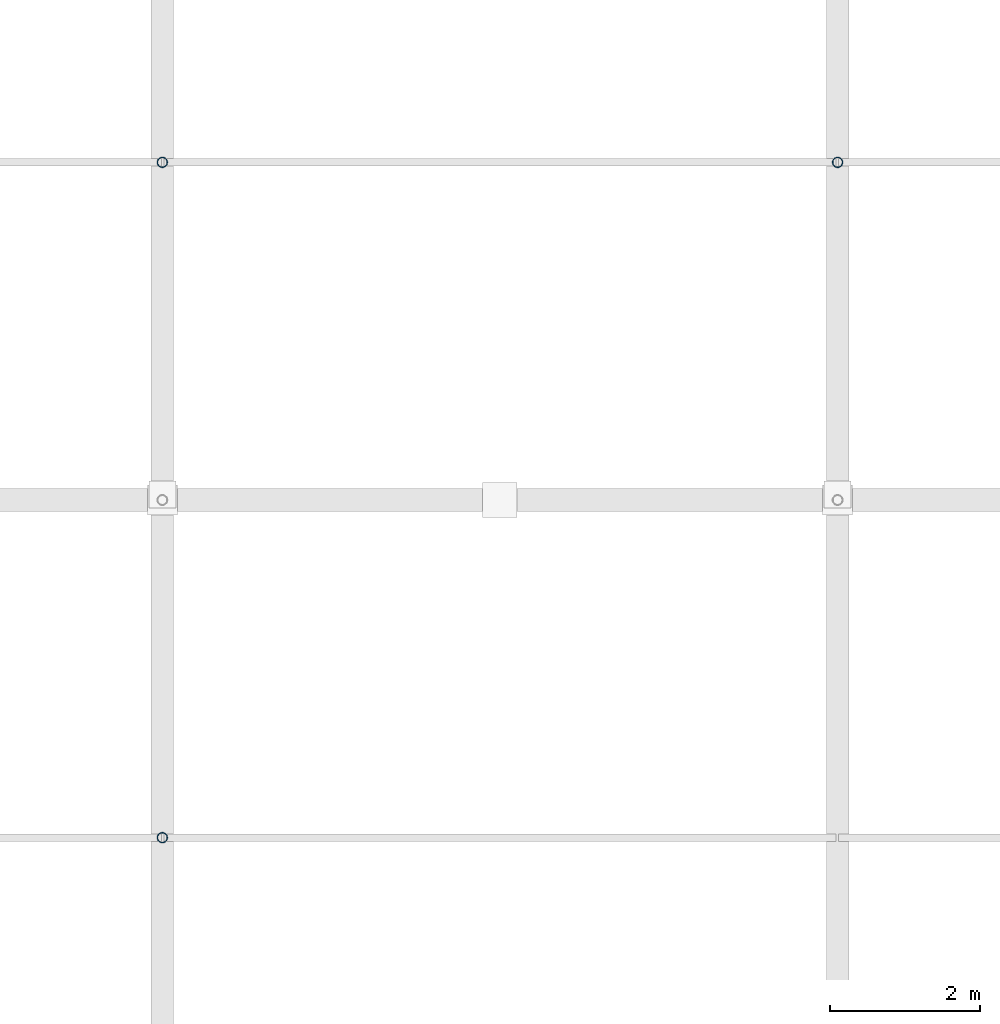
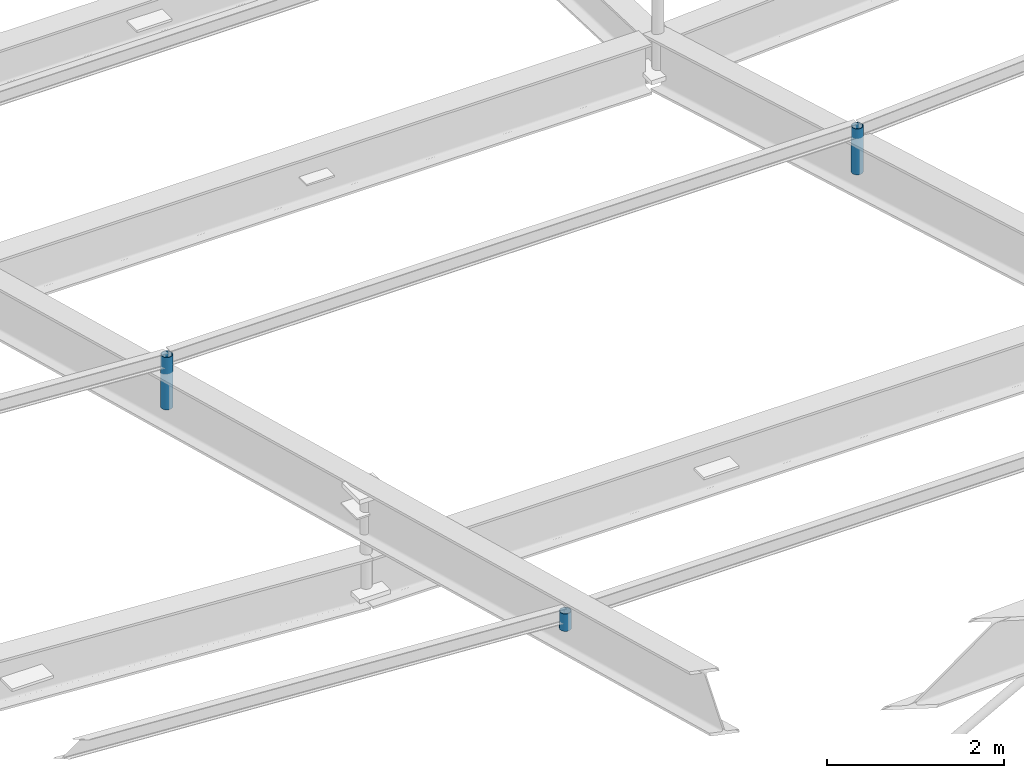
# One storey, part 72 of 80: 3 members.
"""IFC4 building model written with IfcOpenShell, lengths in metres."""

from ifc_helpers import new_model, si_unit, direction, frame, origin, origin_2d, place, context, subcontext, project, spatial, hollow_circle, extrude, material, material_profile, profile_set, type_object, element, save


model = new_model("IFC4")

# Units and contexts
model_context = context("Model", 3, precision=1e-05, world=origin(), true_north=direction((0.0, 1.0)))
body_context = subcontext(model_context, "Body", "Model", "MODEL_VIEW")
ifc_project = project(units=[si_unit("LENGTHUNIT", "METRE"), si_unit("AREAUNIT", "SQUARE_METRE"), si_unit("VOLUMEUNIT", "CUBIC_METRE"), si_unit("PLANEANGLEUNIT", "RADIAN"), si_unit("MASSUNIT", "GRAM", prefix="KILO")], contexts=[model_context])

# Site, building, storey
site_placement = place(None, origin())
site = spatial("IfcSite", under=ifc_project, at=site_placement, CompositionType="ELEMENT")
building_placement = place(site_placement, origin())
building = spatial("IfcBuilding", under=site, at=building_placement, Name="Barlavento Convention Centre", CompositionType="ELEMENT")
storey_placement = place(building_placement, frame((0.0, 0.0, 29.800048828125)))
storey = spatial("IfcBuildingStorey", under=building, at=storey_placement, Name="RF", CompositionType="ELEMENT", Elevation=29.800048828125)

# Members
ifc_material = material(Name="Steel S355", Category="steel")
ifc_material_profile = material_profile(ifc_material, hollow_circle(Radius=0.06982421875, WallThickness=0.008056640625, at=origin_2d()), Name="CHS 139.7x8.0")
ifc_profile_set = profile_set([ifc_material_profile], Name="Steel S355")
member_type = type_object("IfcMemberType", Name="STR-MEM-DIAG-CHS139", PredefinedType="BRACE", material=ifc_profile_set)
member_1_placement = place(storey_placement, frame((27.0, 40.5, -3.371826171875), z_axis=(0.0, 0.0, 1.0), x_axis=(1.0, 0.0, 0.0)))
element("IfcMember", 1, at=member_1_placement, inside=storey, type_object=member_type, Name="Congress space frame vertical node post TD04", PredefinedType="BRACE", context=body_context, shape_type="SweptSolid", body=[
    extrude(hollow_circle(Radius=0.06982421875, WallThickness=0.008056640625, at=origin_2d()), origin(), (0.0, 0.0, 1.0), 0.24072265625),
])
member_2_placement = place(storey_placement, frame((27.0, 49.5, -5.77783203125), z_axis=(0.0, 0.0, 1.0), x_axis=(1.0, 0.0, 0.0)))
element("IfcMember", 2, at=member_2_placement, inside=storey, type_object=member_type, Name="Congress space frame vertical node post TD04", PredefinedType="BRACE", context=body_context, shape_type="SweptSolid", body=[
    extrude(hollow_circle(Radius=0.06982421875, WallThickness=0.008056640625, at=origin_2d()), origin(), (0.0, 0.0, 1.0), 0.722900390625),
])
member_3_placement = place(storey_placement, frame((36.0, 49.5, -5.68896484375), z_axis=(0.0, 0.0, 1.0), x_axis=(1.0, 0.0, 0.0)))
element("IfcMember", 3, at=member_3_placement, inside=storey, type_object=member_type, Name="Congress space frame vertical node post TD04", PredefinedType="BRACE", context=body_context, shape_type="SweptSolid", body=[
    extrude(hollow_circle(Radius=0.06982421875, WallThickness=0.008056640625, at=origin_2d()), origin(), (0.0, 0.0, 1.0), 0.633056640625),
])

save(model, "model.ifc")
